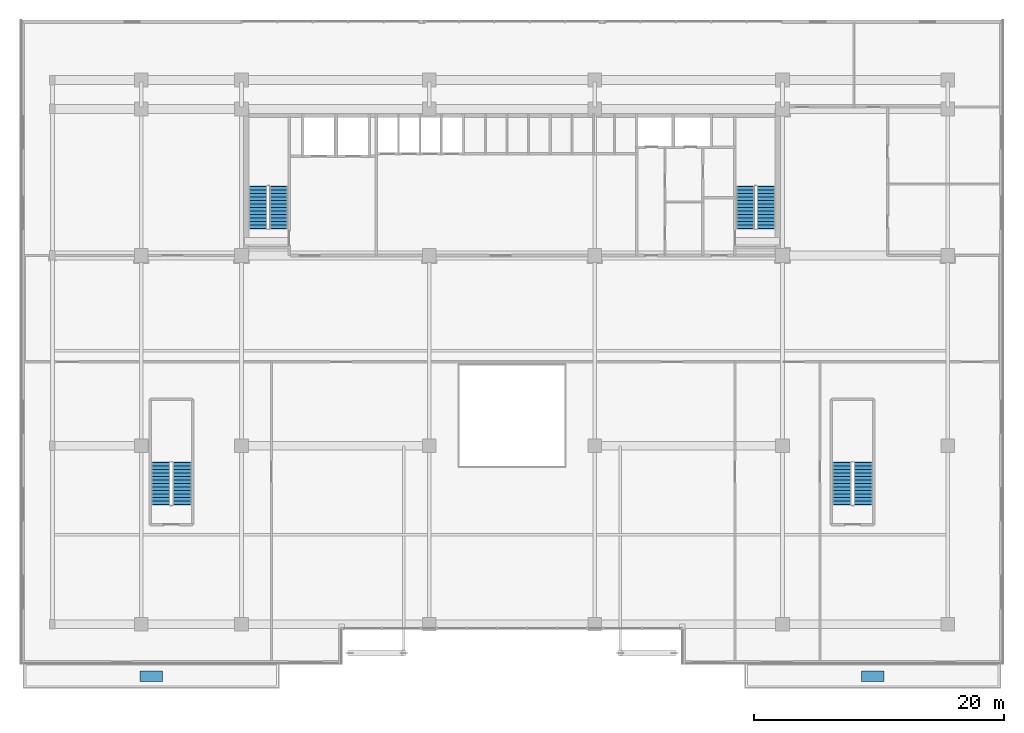
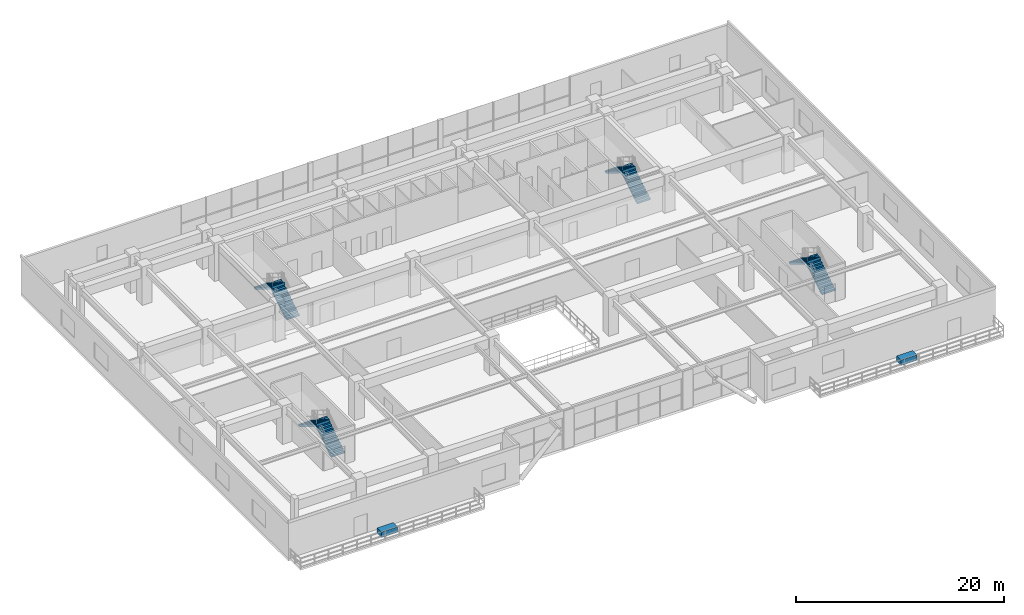
# One storey, part 18 of 24: 8 stair flights, 2 discrete accessories, 4 elements without a shape of their own.
"""IFC4 building model written with IfcOpenShell, lengths in metres."""

from ifc_helpers import new_model, si_unit, direction, frame, origin, origin_2d, place, context, subcontext, project, spatial, polyline, rectangle, outline, extrude, source, transform, mapped, material, type_object, element, aggregate, save


model = new_model("IFC4")

# Units and contexts
model_context = context("Model", 3, precision=1e-05, world=origin(), true_north=direction((0.0, 1.0)))
body_context = subcontext(model_context, "Body", "Model", "MODEL_VIEW")
ifc_project = project(units=[si_unit("LENGTHUNIT", "METRE"), si_unit("AREAUNIT", "SQUARE_METRE"), si_unit("VOLUMEUNIT", "CUBIC_METRE"), si_unit("PLANEANGLEUNIT", "RADIAN"), si_unit("MASSUNIT", "GRAM", prefix="KILO")], contexts=[model_context])

# Site, building, storey
site_placement = place(None, origin())
site = spatial("IfcSite", under=ifc_project, at=site_placement, CompositionType="ELEMENT")
building_placement = place(site_placement, origin())
building = spatial("IfcBuilding", under=site, at=building_placement, Name="Trelvane Seafront Commons", CompositionType="ELEMENT")
storey_placement = place(building_placement, frame((0.0, 0.0, 9.699951171875)))
storey = spatial("IfcBuildingStorey", under=building, at=storey_placement, Name="L02", CompositionType="ELEMENT", Elevation=9.699951171875)

# Stair, stair flights
ifc_material_1 = material(Name="Concrete C40/50", Category="concrete")
stair_type_1 = type_object("IfcStairType", Name="ARCH-STR-ST-1-R26-173", PredefinedType="HALF_TURN_STAIR", material=ifc_material_1)
stair_1_placement = place(storey_placement, origin())
stair_1 = element("IfcStair", 1, at=stair_1_placement, inside=storey, type_object=stair_type_1, Name="L02 West Protected Firefighting Exit Stair ST-1", PredefinedType="HALF_TURN_STAIR")
stair_flight_type_1 = type_object("IfcStairFlightType", Name="ARCH-FLG-ST-1-R26-173", PredefinedType="STRAIGHT", material=ifc_material_1)
shared_shape_1 = source(origin(), body_context, "Body", "SweptSolid", [
    extrude(outline(polyline([(-0.050048828125, -0.02001953125), (-0.050048828125, 0.0), (0.0, 0.0), (0.0, 0.173095703125), (0.280029296875, 0.173095703125), (0.280029296875, 0.34619140625), (0.56005859375, 0.34619140625), (0.56005859375, 0.519287109375), (0.840087890625, 0.519287109375), (0.840087890625, 0.6923828125), (1.1201171875, 0.6923828125), (1.1201171875, 0.865478515625), (1.39990234375, 0.865478515625), (1.39990234375, 1.03857421875), (1.679931640625, 1.03857421875), (1.679931640625, 1.21142578125), (1.9599609375, 1.21142578125), (1.9599609375, 1.384521484375), (2.239990234375, 1.384521484375), (2.239990234375, 1.5576171875), (2.52001953125, 1.5576171875), (2.52001953125, 1.730712890625), (2.800048828125, 1.730712890625), (2.800048828125, 1.90380859375), (3.080078125, 1.90380859375), (3.080078125, 2.076904296875), (3.360107421875, 2.076904296875), (3.360107421875, 2.25), (3.409912109375, 2.25), (3.409912109375, 2.10009765625), (3.360107421875, 1.900634765625), (0.28515625, -0.02001953125), (-0.050048828125, -0.02001953125)])), frame((0.0, 0.72509765625, 0.0), z_axis=(0.0, -1.0, 0.0), x_axis=(1.0, 0.0, 0.0)), (0.0, 0.0, 1.0), 1.449951171875),
])
stair_flight_1_placement = place(storey_placement, frame((18.574951171875, 35.550048828125, 0.0), z_axis=(0.0, 0.0, 1.0), x_axis=(0.0, 1.0, 0.0)))
stair_flight_1 = element("IfcStairFlight", 2, at=stair_flight_1_placement, type_object=stair_flight_type_1, Name="ST-1 flight 1", NumberOfRisers=13, NumberOfTreads=12, PredefinedType="STRAIGHT", RiserHeight=0.173076923, TreadLength=0.28, context=body_context, shape_type="MappedRepresentation", body=[
    mapped(shared_shape_1, transform((0.0, 0.0, 0.0), x_axis=(1.0, 0.0, 0.0), y_axis=(0.0, 1.0, 0.0), z_axis=(0.0, 0.0, 1.0), scale=1.0)),
])
stair_flight_2_placement = place(storey_placement, frame((16.925048828125, 38.909912109375, 2.25), z_axis=(0.0, 0.0, 1.0), x_axis=(0.0, -1.0, 0.0)))
stair_flight_2 = element("IfcStairFlight", 3, at=stair_flight_2_placement, type_object=stair_flight_type_1, Name="ST-1 flight 2", NumberOfRisers=13, NumberOfTreads=12, PredefinedType="STRAIGHT", RiserHeight=0.173076923, TreadLength=0.28, context=body_context, shape_type="MappedRepresentation", body=[
    mapped(shared_shape_1, transform((0.0, 0.0, 0.0), x_axis=(1.0, 0.0, 0.0), y_axis=(0.0, 1.0, 0.0), z_axis=(0.0, 0.0, 1.0), scale=1.0)),
])
aggregate(stair_1, [stair_flight_1, stair_flight_2])

stair_type_2 = type_object("IfcStairType", Name="ARCH-STR-ST-2-R26-173", PredefinedType="HALF_TURN_STAIR", material=ifc_material_1)
stair_2_placement = place(storey_placement, origin())
stair_2 = element("IfcStair", 4, at=stair_2_placement, inside=storey, type_object=stair_type_2, Name="L02 East Protected Firefighting Exit Stair ST-2", PredefinedType="HALF_TURN_STAIR")
stair_flight_type_2 = type_object("IfcStairFlightType", Name="ARCH-FLG-ST-2-R26-173", PredefinedType="STRAIGHT", material=ifc_material_1)
stair_flight_3_placement = place(storey_placement, frame((57.47509765625, 35.550048828125, 0.0), z_axis=(0.0, 0.0, 1.0), x_axis=(0.0, 1.0, 0.0)))
stair_flight_3 = element("IfcStairFlight", 5, at=stair_flight_3_placement, type_object=stair_flight_type_2, Name="ST-2 flight 1", NumberOfRisers=13, NumberOfTreads=12, PredefinedType="STRAIGHT", RiserHeight=0.173076923, TreadLength=0.28, context=body_context, shape_type="MappedRepresentation", body=[
    mapped(shared_shape_1, transform((0.0, 0.0, 0.0), x_axis=(1.0, 0.0, 0.0), y_axis=(0.0, 1.0, 0.0), z_axis=(0.0, 0.0, 1.0), scale=1.0)),
])
stair_flight_4_placement = place(storey_placement, frame((55.824951171875, 38.909912109375, 2.25), z_axis=(0.0, 0.0, 1.0), x_axis=(0.0, -1.0, 0.0)))
stair_flight_4 = element("IfcStairFlight", 6, at=stair_flight_4_placement, type_object=stair_flight_type_2, Name="ST-2 flight 2", NumberOfRisers=13, NumberOfTreads=12, PredefinedType="STRAIGHT", RiserHeight=0.173076923, TreadLength=0.28, context=body_context, shape_type="MappedRepresentation", body=[
    mapped(shared_shape_1, transform((0.0, 0.0, 0.0), x_axis=(1.0, 0.0, 0.0), y_axis=(0.0, 1.0, 0.0), z_axis=(0.0, 0.0, 1.0), scale=1.0)),
])
aggregate(stair_2, [stair_flight_3, stair_flight_4])

stair_type_3 = type_object("IfcStairType", Name="ARCH-STR-ST-3-R26-173", PredefinedType="HALF_TURN_STAIR", material=ifc_material_1)
stair_3_placement = place(storey_placement, origin())
stair_3 = element("IfcStair", 7, at=stair_3_placement, inside=storey, type_object=stair_type_3, Name="L02 Podium Commons West Promenade Stair ST-3", PredefinedType="HALF_TURN_STAIR")
stair_flight_type_3 = type_object("IfcStairFlightType", Name="ARCH-FLG-ST-3-R26-173", PredefinedType="STRAIGHT", material=ifc_material_1)
shared_shape_2 = source(origin(), body_context, "Body", "SweptSolid", [
    extrude(outline(polyline([(-0.050048828125, -0.02001953125), (-0.050048828125, 0.0), (0.0, 0.0), (0.0, 0.173095703125), (0.280029296875, 0.173095703125), (0.280029296875, 0.34619140625), (0.56005859375, 0.34619140625), (0.56005859375, 0.519287109375), (0.840087890625, 0.519287109375), (0.840087890625, 0.6923828125), (1.1201171875, 0.6923828125), (1.1201171875, 0.865478515625), (1.39990234375, 0.865478515625), (1.39990234375, 1.03857421875), (1.679931640625, 1.03857421875), (1.679931640625, 1.21142578125), (1.9599609375, 1.21142578125), (1.9599609375, 1.384521484375), (2.239990234375, 1.384521484375), (2.239990234375, 1.5576171875), (2.52001953125, 1.5576171875), (2.52001953125, 1.730712890625), (2.800048828125, 1.730712890625), (2.800048828125, 1.90380859375), (3.080078125, 1.90380859375), (3.080078125, 2.076904296875), (3.360107421875, 2.076904296875), (3.360107421875, 2.25), (3.409912109375, 2.25), (3.409912109375, 2.10009765625), (3.360107421875, 1.900634765625), (0.28515625, -0.02001953125), (-0.050048828125, -0.02001953125)])), frame((0.0, 0.75, 0.0), z_axis=(0.0, -1.0, 0.0), x_axis=(1.0, 0.0, 0.0)), (0.0, 0.0, 1.0), 1.5),
])
stair_flight_5_placement = place(storey_placement, frame((10.85009765625, 13.5, 0.0), z_axis=(0.0, 0.0, 1.0), x_axis=(0.0, 1.0, 0.0)))
stair_flight_5 = element("IfcStairFlight", 8, at=stair_flight_5_placement, type_object=stair_flight_type_3, Name="ST-3 flight 1", NumberOfRisers=13, NumberOfTreads=12, PredefinedType="STRAIGHT", RiserHeight=0.173076923, TreadLength=0.28, context=body_context, shape_type="MappedRepresentation", body=[
    mapped(shared_shape_2, transform((0.0, 0.0, 0.0), x_axis=(1.0, 0.0, 0.0), y_axis=(0.0, 1.0, 0.0), z_axis=(0.0, 0.0, 1.0), scale=1.0)),
])
stair_flight_6_placement = place(storey_placement, frame((9.14990234375, 16.860107421875, 2.25), z_axis=(0.0, 0.0, 1.0), x_axis=(0.0, -1.0, 0.0)))
stair_flight_6 = element("IfcStairFlight", 9, at=stair_flight_6_placement, type_object=stair_flight_type_3, Name="ST-3 flight 2", NumberOfRisers=13, NumberOfTreads=12, PredefinedType="STRAIGHT", RiserHeight=0.173076923, TreadLength=0.28, context=body_context, shape_type="MappedRepresentation", body=[
    mapped(shared_shape_2, transform((0.0, 0.0, 0.0), x_axis=(1.0, 0.0, 0.0), y_axis=(0.0, 1.0, 0.0), z_axis=(0.0, 0.0, 1.0), scale=1.0)),
])
aggregate(stair_3, [stair_flight_5, stair_flight_6])

stair_type_4 = type_object("IfcStairType", Name="ARCH-STR-ST-4-R26-173", PredefinedType="HALF_TURN_STAIR", material=ifc_material_1)
stair_4_placement = place(storey_placement, origin())
stair_4 = element("IfcStair", 10, at=stair_4_placement, inside=storey, type_object=stair_type_4, Name="L02 Podium Commons East Promenade Stair ST-4", PredefinedType="HALF_TURN_STAIR")
stair_flight_type_4 = type_object("IfcStairFlightType", Name="ARCH-FLG-ST-4-R26-173", PredefinedType="STRAIGHT", material=ifc_material_1)
stair_flight_7_placement = place(storey_placement, frame((65.25, 13.5, 0.0), z_axis=(0.0, 0.0, 1.0), x_axis=(0.0, 1.0, 0.0)))
stair_flight_7 = element("IfcStairFlight", 11, at=stair_flight_7_placement, type_object=stair_flight_type_4, Name="ST-4 flight 1", NumberOfRisers=13, NumberOfTreads=12, PredefinedType="STRAIGHT", RiserHeight=0.173076923, TreadLength=0.28, context=body_context, shape_type="MappedRepresentation", body=[
    mapped(shared_shape_2, transform((0.0, 0.0, 0.0), x_axis=(1.0, 0.0, 0.0), y_axis=(0.0, 1.0, 0.0), z_axis=(0.0, 0.0, 1.0), scale=1.0)),
])
stair_flight_8_placement = place(storey_placement, frame((63.550048828125, 16.860107421875, 2.25), z_axis=(0.0, 0.0, 1.0), x_axis=(0.0, -1.0, 0.0)))
stair_flight_8 = element("IfcStairFlight", 12, at=stair_flight_8_placement, type_object=stair_flight_type_4, Name="ST-4 flight 2", NumberOfRisers=13, NumberOfTreads=12, PredefinedType="STRAIGHT", RiserHeight=0.173076923, TreadLength=0.28, context=body_context, shape_type="MappedRepresentation", body=[
    mapped(shared_shape_2, transform((0.0, 0.0, 0.0), x_axis=(1.0, 0.0, 0.0), y_axis=(0.0, 1.0, 0.0), z_axis=(0.0, 0.0, 1.0), scale=1.0)),
])
aggregate(stair_4, [stair_flight_7, stair_flight_8])

# Discrete accessories
ifc_material_2 = material(Name="Precast concrete C40/50", Category="concrete")
discrete_accessory_type = type_object("IfcDiscreteAccessoryType", Name="ARCH-ACC-PLANTER", PredefinedType="USERDEFINED", material=ifc_material_2)
shared_shape_3 = source(origin(), body_context, "Body", "SweptSolid", [
    extrude(rectangle(XDim=1.800048828125, YDim=0.85009765625, at=origin_2d()), origin(), (0.0, 0.0, 1.0), 0.64990234375),
])
for number, where, z_axis, x_axis, name in (
    (13, (8.39990234375, -0.199951171875, 0.0), (0.0, 0.0, 1.0), (1.0, 0.0, 0.0), "PLN-L02-TR0-001"),
    (14, (66.0, -0.199951171875, 0.0), (0.0, 0.0, 1.0), (1.0, 0.0, 0.0), "PLN-L02-TR1-002"),
):
    element("IfcDiscreteAccessory", number, at=place(storey_placement, frame(where, z_axis=z_axis, x_axis=x_axis)), inside=storey, type_object=discrete_accessory_type, Name=name, ObjectType="BALCONY TREE PLANTER", PredefinedType="USERDEFINED", context=body_context, shape_type="MappedRepresentation", body=[
        mapped(shared_shape_3, transform((0.0, 0.0, 0.0), x_axis=(1.0, 0.0, 0.0), y_axis=(0.0, 1.0, 0.0), z_axis=(0.0, 0.0, 1.0), scale=1.0)),
    ])

save(model, "model.ifc")
